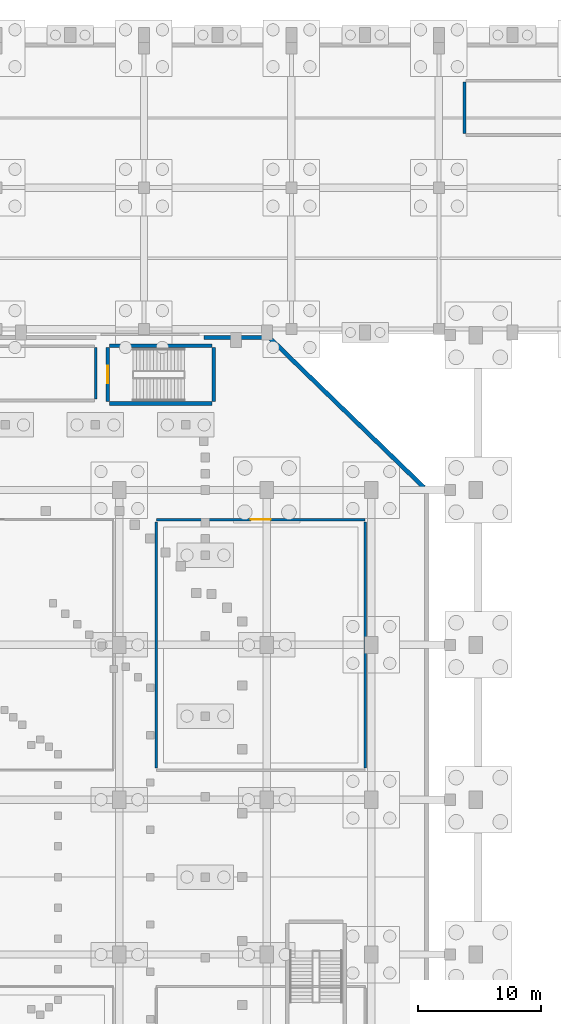
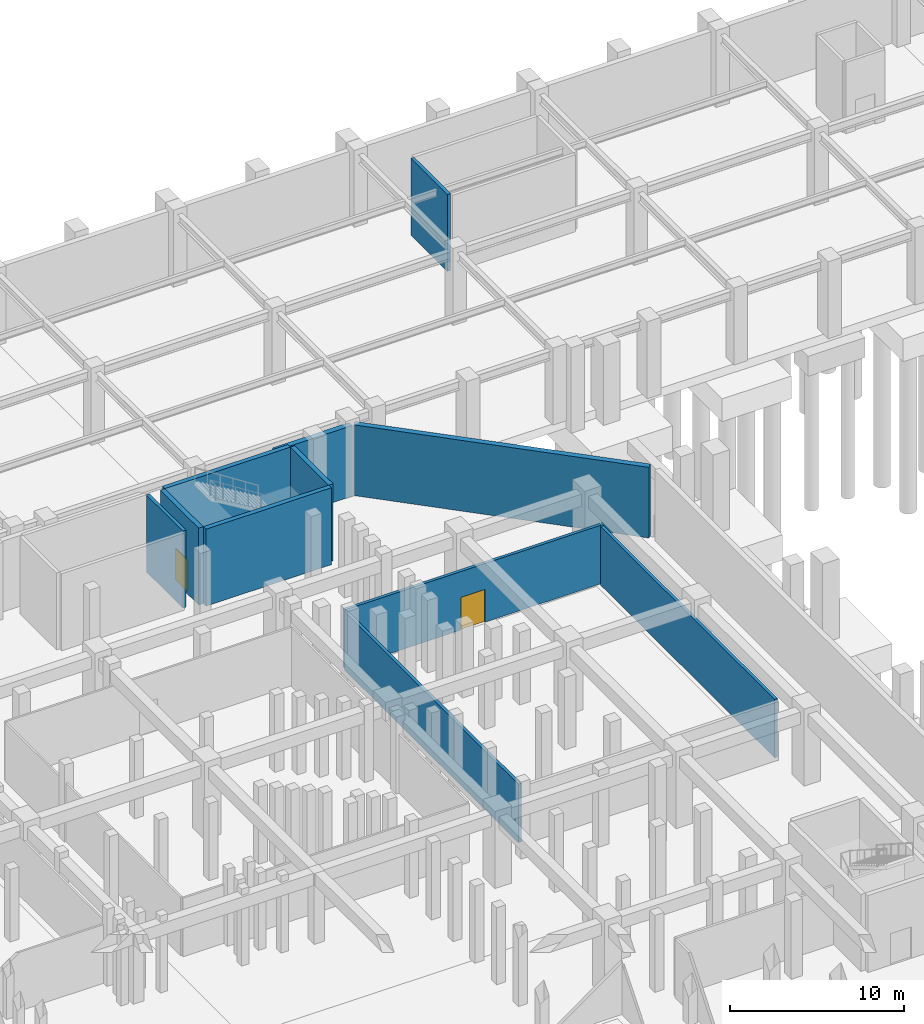
# One storey, part 17 of 27: 11 walls, 2 doors, 2 openings.
"""IFC4 building model written with IfcOpenShell, lengths in metres."""

from ifc_helpers import new_model, si_unit, derived_unit, direction, frame, frame_2d, origin, place, context, subcontext, project, spatial, rectangle, extrude, material, layer, layer_set, type_object, element, fill, save


model = new_model("IFC4")

# Units and contexts
model_context = context("Model", 3, precision=1e-05, world=origin(), true_north=direction((0.0, 1.0)))
body_context = subcontext(model_context, "Body", "Model", "MODEL_VIEW")
ifc_project = project(units=[si_unit("LENGTHUNIT", "METRE"), si_unit("AREAUNIT", "SQUARE_METRE"), si_unit("VOLUMEUNIT", "CUBIC_METRE"), si_unit("PLANEANGLEUNIT", "RADIAN"), si_unit("MASSUNIT", "GRAM", prefix="KILO"), derived_unit("THERMALTRANSMITTANCEUNIT", [(si_unit("MASSUNIT", "GRAM", prefix="KILO"), 1), (si_unit("TIMEUNIT", "SECOND"), -3), (si_unit("THERMODYNAMICTEMPERATUREUNIT", "KELVIN"), -1)])], contexts=[model_context])

# Site, building, storey
site_placement = place(None, origin())
site = spatial("IfcSite", under=ifc_project, at=site_placement, CompositionType="ELEMENT")
building_placement = place(site_placement, origin())
building = spatial("IfcBuilding", under=site, at=building_placement, Name="Valcora Ridge Arena", CompositionType="ELEMENT")
storey_placement = place(building_placement, frame((0.0, 0.0, -5.39990234375)))
storey = spatial("IfcBuildingStorey", under=building, at=storey_placement, Name="B1", CompositionType="ELEMENT", Elevation=-5.39990234375)

# Wall, opening, door
ifc_material_1 = material(Name="Fire-resisting reinforced concrete enclosure C40/50 200 mm", Category="concrete")
ifc_layer_1 = layer(ifc_material_1, 0.199951171875, Name="Fire-resisting reinforced concrete enclosure C40/50 200 mm")
ifc_layer_set_1 = layer_set([ifc_layer_1], Name="Fire-resisting reinforced concrete enclosure C40/50 200 mm")
wall_type_1 = type_object("IfcWallType", Name="TY-WALL-IW-FIRE-200", PredefinedType="STANDARD", material=ifc_layer_set_1)
wall_1_placement = place(storey_placement, frame((85.0, 93.199951171875, 0.0), z_axis=(0.0, 0.0, 1.0), x_axis=(1.0, 0.0, 0.0)))
wall_1 = element("IfcWall", 1, at=wall_1_placement, inside=storey, type_object=wall_type_1, Name="IW-FIRE-200 WAL-IN-0212", PredefinedType="STANDARD", context=body_context, shape_type="SweptSolid", body=[
    extrude(rectangle(XDim=17.0, YDim=0.199951171875, at=frame_2d((8.5, 0.0))), origin(), (0.0, 0.0, 1.0), 4.10986328125),
])
opening_1_placement = place(wall_1_placement, frame((7.699951171875, 0.0, 0.0)))
opening_1 = element("IfcOpeningElement", 2, at=opening_1_placement, cuts=wall_1, Name="Opening FD-PLT-1600", PredefinedType="OPENING", context=body_context, shape_type="SweptSolid", body=[
    extrude(rectangle(XDim=1.60009765625, YDim=2.300048828125, at=frame_2d((0.800048828125, 1.14990234375))), frame((0.0, 0.10986328125, 0.0), z_axis=(0.0, -1.0, 0.0), x_axis=(1.0, 0.0, 0.0)), (0.0, 0.0, 1.0), 0.219970703125),
])
ifc_material_2 = material(Name="Insulated fire-rated steel door leaf", Category="steel")
door_type_1 = type_object("IfcDoorType", Name="TY-DOOR-FD-PLT-1600", OperationType="NOTDEFINED", PredefinedType="DOOR", material=ifc_material_2)
door_1_placement = place(opening_1_placement, origin())
door_1 = element("IfcDoor", 3, at=door_1_placement, inside=storey, type_object=door_type_1, Name="FD-PLT-1600 DOR-IN-0057", OperationType="DOUBLE_DOOR_SINGLE_SWING", OverallHeight=2.300048828125, OverallWidth=1.60009765625, PredefinedType="DOOR", context=body_context, shape_type="SweptSolid", body=[
    extrude(rectangle(XDim=1.60009765625, YDim=2.300048828125, at=frame_2d((0.800048828125, 1.14990234375))), frame((0.0, 0.02490234375, 0.0), z_axis=(0.0, -1.0, 0.0), x_axis=(1.0, 0.0, 0.0)), (0.0, 0.0, 1.0), 0.050048828125),
])
fill(opening_1, door_1)

# Walls
for number, where, z_axis, x_axis, name in (
    (4, (85.0, 73.0, 0.0), (0.0, 0.0, 1.0), (0.0, 1.0, 0.0), "IW-FIRE-200 WAL-IN-0213"),
    (5, (102.0, 73.0, 0.0), (0.0, 0.0, 1.0), (0.0, 1.0, 0.0), "IW-FIRE-200 WAL-IN-0214"),
):
    element("IfcWall", number, at=place(storey_placement, frame(where, z_axis=z_axis, x_axis=x_axis)), inside=storey, type_object=wall_type_1, Name=name, PredefinedType="STANDARD", context=body_context, shape_type="SweptSolid", body=[
        extrude(rectangle(XDim=20.0, YDim=0.199951171875, at=frame_2d((10.0, 0.0))), origin(), (0.0, 0.0, 1.0), 4.10986328125),
    ])
ifc_material_3 = material(Name="Concrete C45/55", Category="concrete")
ifc_layer_2 = layer(ifc_material_3, 0.300048828125, Name="Concrete C45/55")
ifc_layer_set_2 = layer_set([ifc_layer_2], Name="Concrete C45/55")
wall_type_2 = type_object("IfcWallType", Name="TY-WALL-SW-C300-L", PredefinedType="SHEAR", material=ifc_layer_set_2)
for number, where, z_axis, x_axis, name in (
    (6, (81.199951171875, 102.64990234375, 0.0), (0.0, 0.0, 1.0), (1.0, 0.0, 0.0), "SW-C300-L WAL-CR-0081"),
    (7, (81.199951171875, 107.35009765625, 0.0), (0.0, 0.0, 1.0), (1.0, 0.0, 0.0), "SW-C300-L WAL-CR-0082"),
):
    element("IfcWall", number, at=place(storey_placement, frame(where, z_axis=z_axis, x_axis=x_axis)), inside=storey, type_object=wall_type_2, Name=name, PredefinedType="SHEAR", context=body_context, shape_type="SweptSolid", body=[
        extrude(rectangle(XDim=8.320068359375, YDim=0.300048828125, at=frame_2d((4.16015625, 0.0))), origin(), (0.0, 0.0, 1.0), 5.39990234375),
    ])

# Wall, opening, door
ifc_layer_3 = layer(ifc_material_3, 0.300048828125, Name="Concrete C45/55")
ifc_layer_set_3 = layer_set([ifc_layer_3], Name="Concrete C45/55")
wall_type_3 = type_object("IfcWallType", Name="TY-WALL-SW-C300-S", PredefinedType="SHEAR", material=ifc_layer_set_3)
wall_2_placement = place(storey_placement, frame((81.050048828125, 102.800048828125, 0.0), z_axis=(0.0, 0.0, 1.0), x_axis=(0.0, 1.0, 0.0)))
wall_2 = element("IfcWall", 8, at=wall_2_placement, inside=storey, type_object=wall_type_3, Name="SW-C300-S WAL-CR-0083", PredefinedType="SHEAR", context=body_context, shape_type="SweptSolid", body=[
    extrude(rectangle(XDim=4.39990234375, YDim=0.300048828125, at=frame_2d((2.199951171875, 0.0))), origin(), (0.0, 0.0, 1.0), 5.39990234375),
])
opening_2_placement = place(wall_2_placement, frame((1.5, 0.0, 0.0)))
opening_2 = element("IfcOpeningElement", 9, at=opening_2_placement, cuts=wall_2, Name="Opening FD-01", PredefinedType="OPENING", context=body_context, shape_type="SweptSolid", body=[
    extrude(rectangle(XDim=1.39990234375, YDim=2.199951171875, at=frame_2d((0.699951171875, 1.10009765625))), frame((0.0, 0.159912109375, 0.0), z_axis=(0.0, -1.0, 0.0), x_axis=(1.0, 0.0, 0.0)), (0.0, 0.0, 1.0), 0.320068359375),
])
door_type_2 = type_object("IfcDoorType", Name="TY-DOOR-FD-01", OperationType="NOTDEFINED", PredefinedType="DOOR", material=ifc_material_2)
door_2_placement = place(opening_2_placement, origin())
door_2 = element("IfcDoor", 10, at=door_2_placement, inside=storey, type_object=door_type_2, Name="FD-01 DOR-ST-0021", OperationType="DOUBLE_DOOR_SINGLE_SWING", OverallHeight=2.199951171875, OverallWidth=1.39990234375, PredefinedType="DOOR", context=body_context, shape_type="SweptSolid", body=[
    extrude(rectangle(XDim=1.39990234375, YDim=2.199951171875, at=frame_2d((0.699951171875, 1.10009765625))), frame((0.0, 0.02490234375, 0.0), z_axis=(0.0, -1.0, 0.0), x_axis=(1.0, 0.0, 0.0)), (0.0, 0.0, 1.0), 0.050048828125),
])
fill(opening_2, door_2)

# Walls
wall_3_placement = place(storey_placement, frame((89.669921875, 102.800048828125, 0.0), z_axis=(0.0, 0.0, 1.0), x_axis=(0.0, 1.0, 0.0)))
element("IfcWall", 11, at=wall_3_placement, inside=storey, type_object=wall_type_3, Name="SW-C300-S WAL-CR-0084", PredefinedType="SHEAR", context=body_context, shape_type="SweptSolid", body=[
    extrude(rectangle(XDim=4.39990234375, YDim=0.300048828125, at=frame_2d((2.199951171875, 0.0))), origin(), (0.0, 0.0, 1.0), 5.39990234375),
])
ifc_layer_4 = layer(ifc_material_1, 0.219970703125, Name="Fire-resisting reinforced concrete enclosure C40/50 200 mm")
ifc_layer_set_4 = layer_set([ifc_layer_4], Name="Fire-resisting reinforced concrete enclosure C40/50 200 mm")
wall_type_4 = type_object("IfcWallType", Name="TY-WALL-SW-ES-220", PredefinedType="SHEAR", material=ifc_layer_set_4)
for number, where, z_axis, x_axis, name in (
    (12, (80.070068359375, 103.0, 0.0), (0.0, 0.0, 1.0), (0.0, 1.0, 0.0), "SW-ES-220 WAL-ES-0076"),
    (13, (110.090087890625, 124.60009765625, 0.0), (0.0, 0.0, 1.0), (0.0, 1.0, 0.0), "SW-ES-220 WAL-ES-0187"),
):
    element("IfcWall", number, at=place(storey_placement, frame(where, z_axis=z_axis, x_axis=x_axis)), inside=storey, type_object=wall_type_4, Name=name, PredefinedType="SHEAR", context=body_context, shape_type="SweptSolid", body=[
        extrude(rectangle(XDim=4.199951171875, YDim=0.219970703125, at=frame_2d((2.10009765625, 0.0))), origin(), (0.0, 0.0, 1.0), 5.39990234375),
    ])
ifc_material_4 = material(Name="Concrete C40/50", Category="concrete")
ifc_layer_5 = layer(ifc_material_4, 0.35009765625, Name="Concrete C40/50")
ifc_layer_set_5 = layer_set([ifc_layer_5], Name="Concrete C40/50")
wall_type_5 = type_object("IfcWallType", Name="TY-WALL-SW-RET-350", PredefinedType="SOLIDWALL", material=ifc_layer_set_5)
wall_4_placement = place(storey_placement, frame((106.78466796875, 95.808837890625, 0.0), z_axis=(0.0, 0.0, 1.0), x_axis=(-0.718073787682, 0.695966978703, 0.0)))
element("IfcWall", 14, at=wall_4_placement, inside=storey, type_object=wall_type_5, Name="SW-RET-350 WAL-RT-0004", PredefinedType="SOLIDWALL", context=body_context, shape_type="SweptSolid", body=[
    extrude(rectangle(XDim=17.504150390625, YDim=0.35009765625, at=frame_2d((8.751953125, 0.0))), origin(), (0.0, 0.0, 1.0), 4.9599609375),
])
wall_5_placement = place(storey_placement, frame((88.89990234375, 108.02001953125, 0.0), z_axis=(0.0, 0.0, 1.0), x_axis=(1.0, 0.0, 0.0)))
element("IfcWall", 15, at=wall_5_placement, inside=storey, type_object=wall_type_5, Name="SW-RET-350 WAL-RT-0007", PredefinedType="SOLIDWALL", context=body_context, shape_type="SweptSolid", body=[
    extrude(rectangle(XDim=5.10009765625, YDim=0.35009765625, at=frame_2d((2.550048828125, 0.0))), origin(), (0.0, 0.0, 1.0), 4.9599609375),
])

save(model, "model.ifc")
